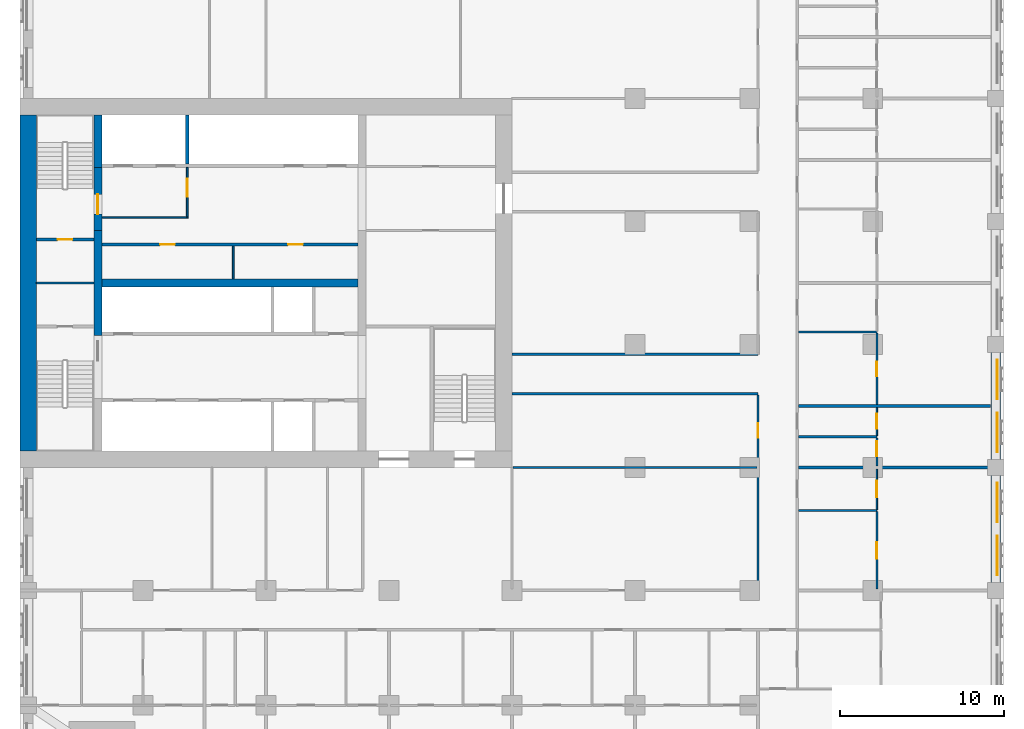
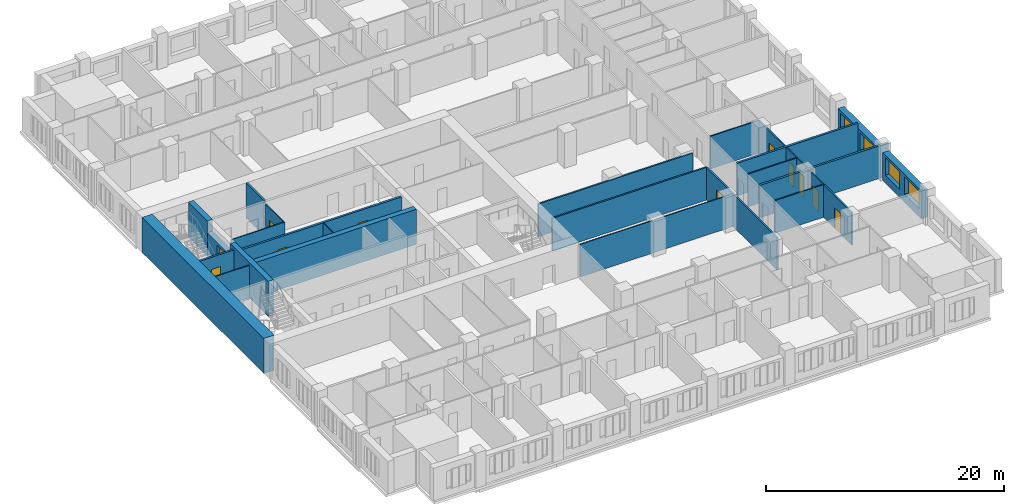
# One storey, part 7 of 14: 28 walls, 11 doors, 4 windows, 15 openings.
"""IFC4 building model written with IfcOpenShell, lengths in metres."""

from ifc_helpers import new_model, si_unit, direction, frame, frame_2d, origin, place, context, subcontext, project, spatial, rectangle, extrude, material, layer, layer_set, type_object, element, fill, save


model = new_model("IFC4")

# Units and contexts
model_context = context("Model", 3, precision=1e-05, world=origin(), true_north=direction((0.0, 1.0)))
body_context = subcontext(model_context, "Body", "Model", "MODEL_VIEW")
ifc_project = project(units=[si_unit("LENGTHUNIT", "METRE"), si_unit("AREAUNIT", "SQUARE_METRE"), si_unit("VOLUMEUNIT", "CUBIC_METRE"), si_unit("PLANEANGLEUNIT", "RADIAN"), si_unit("MASSUNIT", "GRAM", prefix="KILO")], contexts=[model_context])

# Site, building, storey
site_placement = place(None, origin())
site = spatial("IfcSite", under=ifc_project, at=site_placement, CompositionType="ELEMENT")
building_placement = place(site_placement, origin())
building = spatial("IfcBuilding", under=site, at=building_placement, Name="Tamorin Gate", CompositionType="ELEMENT")
storey_placement = place(building_placement, frame((0.0, 0.0, 59.199951171875)))
storey = spatial("IfcBuildingStorey", under=building, at=storey_placement, Name="L13", CompositionType="ELEMENT", Elevation=59.199951171875)

# Wall, openings, windows
ifc_material_1 = material(Name="Precast concrete C40/50", Category="concrete")
ifc_layer_1 = layer(ifc_material_1, 0.60009765625)
ifc_layer_set_1 = layer_set([ifc_layer_1], Name="Precast concrete C40/50")
wall_type_1 = type_object("IfcWallType", Name="Board-marked concrete facade panel 600", PredefinedType="SOLIDWALL", material=ifc_layer_set_1)
wall_1_placement = place(storey_placement, frame((89.5, 53.0, 0.0), z_axis=(0.0, 0.0, 1.0), x_axis=(0.0, 1.0, 0.0)))
wall_1 = element("IfcWall", 1, at=wall_1_placement, inside=storey, type_object=wall_type_1, Name="Facade panel", PredefinedType="SOLIDWALL", context=body_context, shape_type="SweptSolid", body=[
    extrude(rectangle(XDim=6.5, YDim=0.60009765625, at=frame_2d((3.25, 0.0))), origin(), (0.0, 0.0, 1.0), 2.85009765625),
])
opening_1_placement = place(wall_1_placement, frame((0.425048828125, 0.0, 0.800048828125)))
opening_1 = element("IfcOpeningElement", 2, at=opening_1_placement, cuts=wall_1, Name="Opening WN1", PredefinedType="OPENING", context=body_context, shape_type="SweptSolid", body=[
    extrude(rectangle(XDim=2.39990234375, YDim=1.800048828125, at=frame_2d((1.199951171875, 0.89990234375))), frame((0.0, 0.31005859375, 0.0), z_axis=(0.0, -1.0, 0.0), x_axis=(1.0, 0.0, 0.0)), (0.0, 0.0, 1.0), 0.6201171875),
])
opening_2_placement = place(wall_1_placement, frame((3.675048828125, 0.0, 0.800048828125)))
opening_2 = element("IfcOpeningElement", 3, at=opening_2_placement, cuts=wall_1, Name="Opening WN1", PredefinedType="OPENING", context=body_context, shape_type="SweptSolid", body=[
    extrude(rectangle(XDim=2.39990234375, YDim=1.800048828125, at=frame_2d((1.199951171875, 0.89990234375))), frame((0.0, 0.31005859375, 0.0), z_axis=(0.0, -1.0, 0.0), x_axis=(1.0, 0.0, 0.0)), (0.0, 0.0, 1.0), 0.6201171875),
])
ifc_material_2 = material(Name="Clear glass in aluminium frame", Category="aluminium")
window_type = type_object("IfcWindowType", Name="Deep-set window 2400x1800", PartitioningType="SINGLE_PANEL", PredefinedType="WINDOW", material=ifc_material_2)
window_1_placement = place(opening_1_placement, origin())
window_1 = element("IfcWindow", 4, at=window_1_placement, inside=storey, type_object=window_type, Name="Deep-set window", OverallHeight=1.800048828125, OverallWidth=2.39990234375, PartitioningType="SINGLE_PANEL", PredefinedType="WINDOW", context=body_context, shape_type="SweptSolid", body=[
    extrude(rectangle(XDim=2.39990234375, YDim=1.800048828125, at=frame_2d((1.199951171875, 0.89990234375))), frame((0.0, -0.070068359375, 0.0), z_axis=(0.0, -1.0, 0.0), x_axis=(1.0, 0.0, 0.0)), (0.0, 0.0, 1.0), 0.06005859375),
])
fill(opening_1, window_1)
window_2_placement = place(opening_2_placement, origin())
window_2 = element("IfcWindow", 5, at=window_2_placement, inside=storey, type_object=window_type, Name="Deep-set window", OverallHeight=1.800048828125, OverallWidth=2.39990234375, PartitioningType="SINGLE_PANEL", PredefinedType="WINDOW", context=body_context, shape_type="SweptSolid", body=[
    extrude(rectangle(XDim=2.39990234375, YDim=1.800048828125, at=frame_2d((1.199951171875, 0.89990234375))), frame((0.0, -0.070068359375, 0.0), z_axis=(0.0, -1.0, 0.0), x_axis=(1.0, 0.0, 0.0)), (0.0, 0.0, 1.0), 0.06005859375),
])
fill(opening_2, window_2)

wall_2_placement = place(storey_placement, frame((89.5, 60.5, 0.0), z_axis=(0.0, 0.0, 1.0), x_axis=(0.0, 1.0, 0.0)))
wall_2 = element("IfcWall", 6, at=wall_2_placement, inside=storey, type_object=wall_type_1, Name="Facade panel", PredefinedType="SOLIDWALL", context=body_context, shape_type="SweptSolid", body=[
    extrude(rectangle(XDim=6.5, YDim=0.60009765625, at=frame_2d((3.25, 0.0))), origin(), (0.0, 0.0, 1.0), 2.85009765625),
])
opening_3_placement = place(wall_2_placement, frame((0.425048828125, 0.0, 0.800048828125)))
opening_3 = element("IfcOpeningElement", 7, at=opening_3_placement, cuts=wall_2, Name="Opening WN1", PredefinedType="OPENING", context=body_context, shape_type="SweptSolid", body=[
    extrude(rectangle(XDim=2.39990234375, YDim=1.800048828125, at=frame_2d((1.199951171875, 0.89990234375))), frame((0.0, 0.31005859375, 0.0), z_axis=(0.0, -1.0, 0.0), x_axis=(1.0, 0.0, 0.0)), (0.0, 0.0, 1.0), 0.6201171875),
])
opening_4_placement = place(wall_2_placement, frame((3.675048828125, 0.0, 0.800048828125)))
opening_4 = element("IfcOpeningElement", 8, at=opening_4_placement, cuts=wall_2, Name="Opening WN1", PredefinedType="OPENING", context=body_context, shape_type="SweptSolid", body=[
    extrude(rectangle(XDim=2.39990234375, YDim=1.800048828125, at=frame_2d((1.199951171875, 0.89990234375))), frame((0.0, 0.31005859375, 0.0), z_axis=(0.0, -1.0, 0.0), x_axis=(1.0, 0.0, 0.0)), (0.0, 0.0, 1.0), 0.6201171875),
])
window_3_placement = place(opening_3_placement, origin())
window_3 = element("IfcWindow", 9, at=window_3_placement, inside=storey, type_object=window_type, Name="Deep-set window", OverallHeight=1.800048828125, OverallWidth=2.39990234375, PartitioningType="SINGLE_PANEL", PredefinedType="WINDOW", context=body_context, shape_type="SweptSolid", body=[
    extrude(rectangle(XDim=2.39990234375, YDim=1.800048828125, at=frame_2d((1.199951171875, 0.89990234375))), frame((0.0, -0.070068359375, 0.0), z_axis=(0.0, -1.0, 0.0), x_axis=(1.0, 0.0, 0.0)), (0.0, 0.0, 1.0), 0.06005859375),
])
fill(opening_3, window_3)
window_4_placement = place(opening_4_placement, origin())
window_4 = element("IfcWindow", 10, at=window_4_placement, inside=storey, type_object=window_type, Name="Deep-set window", OverallHeight=1.800048828125, OverallWidth=2.39990234375, PartitioningType="SINGLE_PANEL", PredefinedType="WINDOW", context=body_context, shape_type="SweptSolid", body=[
    extrude(rectangle(XDim=2.39990234375, YDim=1.800048828125, at=frame_2d((1.199951171875, 0.89990234375))), frame((0.0, -0.070068359375, 0.0), z_axis=(0.0, -1.0, 0.0), x_axis=(1.0, 0.0, 0.0)), (0.0, 0.0, 1.0), 0.06005859375),
])
fill(opening_4, window_4)

# Wall, opening, door
ifc_material_3 = material(Name="Gypsum board partition")
ifc_layer_2 = layer(ifc_material_3, 0.14990234375)
ifc_layer_set_2 = layer_set([ifc_layer_2], Name="Corridor wall 150")
wall_type_2 = type_object("IfcWallType", Name="Corridor wall 150", PredefinedType="PARTITIONING", material=ifc_layer_set_2)
wall_3_placement = place(storey_placement, frame((75.0, 52.574951171875, 0.0), z_axis=(0.0, 0.0, 1.0), x_axis=(0.0, 1.0, 0.0)))
wall_3 = element("IfcWall", 11, at=wall_3_placement, inside=storey, type_object=wall_type_2, Name="Corridor wall 150", PredefinedType="PARTITIONING", context=body_context, shape_type="SweptSolid", body=[
    extrude(rectangle(XDim=11.85009765625, YDim=0.14990234375, at=frame_2d((5.925048828125, 0.0))), origin(), (0.0, 0.0, 1.0), 3.35009765625),
])
opening_5_placement = place(wall_3_placement, frame((9.22509765625, 0.0, 0.0)))
opening_5 = element("IfcOpeningElement", 12, at=opening_5_placement, cuts=wall_3, Name="Opening DH4081", PredefinedType="OPENING", context=body_context, shape_type="SweptSolid", body=[
    extrude(rectangle(XDim=0.89990234375, YDim=2.10009765625, at=frame_2d((0.449951171875, 1.050048828125))), frame((0.0, 0.0849609375, 0.0), z_axis=(0.0, -1.0, 0.0), x_axis=(1.0, 0.0, 0.0)), (0.0, 0.0, 1.0), 0.169921875),
])
ifc_material_4 = material(Name="Timber door leaf", Category="wood")
door_type_1 = type_object("IfcDoorType", Name="Door 900 x 2100 FD30S", OperationType="NOTDEFINED", PredefinedType="DOOR", material=ifc_material_4)
door_1_placement = place(opening_5_placement, origin())
door_1 = element("IfcDoor", 13, at=door_1_placement, inside=storey, type_object=door_type_1, Name="Door DH4081", OperationType="SINGLE_SWING_LEFT", OverallHeight=2.10009765625, OverallWidth=0.89990234375, PredefinedType="DOOR", context=body_context, shape_type="SweptSolid", body=[
    extrude(rectangle(XDim=0.89990234375, YDim=2.10009765625, at=frame_2d((0.449951171875, 1.050048828125))), frame((0.0, 0.02490234375, 0.0), z_axis=(0.0, -1.0, 0.0), x_axis=(1.0, 0.0, 0.0)), (0.0, 0.0, 1.0), 0.050048828125),
])
fill(opening_5, door_1)

# Walls
ifc_layer_3 = layer(ifc_material_3, 0.199951171875)
ifc_layer_set_3 = layer_set([ifc_layer_3], Name="Demising wall 200")
wall_type_3 = type_object("IfcWallType", Name="Demising wall 200", PredefinedType="PARTITIONING", material=ifc_layer_set_3)
wall_4_placement = place(storey_placement, frame((77.47509765625, 60.0, 0.0), z_axis=(0.0, 0.0, 1.0), x_axis=(1.0, 0.0, 0.0)))
element("IfcWall", 14, at=wall_4_placement, inside=storey, type_object=wall_type_3, Name="Demising wall 200", PredefinedType="PARTITIONING", context=body_context, shape_type="SweptSolid", body=[
    extrude(rectangle(XDim=12.52490234375, YDim=0.199951171875, at=frame_2d((6.262451171875, 0.0))), origin(), (0.0, 0.0, 1.0), 3.35009765625),
])
wall_5_placement = place(storey_placement, frame((77.47509765625, 63.75, 0.0), z_axis=(0.0, 0.0, 1.0), x_axis=(1.0, 0.0, 0.0)))
element("IfcWall", 15, at=wall_5_placement, inside=storey, type_object=wall_type_3, Name="Demising wall 200", PredefinedType="PARTITIONING", context=body_context, shape_type="SweptSolid", body=[
    extrude(rectangle(XDim=11.71484375, YDim=0.199951171875, at=frame_2d((5.857421875, 0.0))), origin(), (0.0, 0.0, 1.0), 3.35009765625),
])
ifc_material_5 = material(Name="Concrete C32/40", Category="concrete")
ifc_layer_4 = layer(ifc_material_5, 0.199951171875)
ifc_layer_set_4 = layer_set([ifc_layer_4], Name="Lift shaft wall 200 EI 120")
wall_type_4 = type_object("IfcWallType", Name="Lift shaft wall 200 EI 120", PredefinedType="SOLIDWALL", material=ifc_layer_set_4)
wall_6_placement = place(storey_placement, frame((40.199951171875, 78.5, 0.0), z_axis=(0.0, 0.0, 1.0), x_axis=(0.0, 1.0, 0.0)))
element("IfcWall", 16, at=wall_6_placement, inside=storey, type_object=wall_type_4, Name="Lift shaft wall", PredefinedType="SOLIDWALL", context=body_context, shape_type="SweptSolid", body=[
    extrude(rectangle(XDim=3.0, YDim=0.199951171875, at=frame_2d((1.5, 0.0))), origin(), (0.0, 0.0, 1.0), 3.60009765625),
])
ifc_material_6 = material(Name="Fire-rated gypsum board partition")
ifc_layer_5 = layer(ifc_material_6, 0.10009765625)
ifc_layer_set_5 = layer_set([ifc_layer_5], Name="Lobby wall 100 EI 60")
wall_type_5 = type_object("IfcWallType", Name="Lobby wall 100 EI 60", PredefinedType="PARTITIONING", material=ifc_layer_set_5)
wall_7_placement = place(storey_placement, frame((35.0, 75.25, 0.0), z_axis=(0.0, 0.0, 1.0), x_axis=(1.0, 0.0, 0.0)))
element("IfcWall", 17, at=wall_7_placement, inside=storey, type_object=wall_type_5, Name="Firefighting lobby wall", PredefinedType="PARTITIONING", context=body_context, shape_type="SweptSolid", body=[
    extrude(rectangle(XDim=5.25, YDim=0.10009765625, at=frame_2d((2.625, 0.0))), origin(), (0.0, 0.0, 1.0), 3.35009765625),
])

# Wall, opening, door
wall_8_placement = place(storey_placement, frame((40.199951171875, 75.300048828125, 0.0), z_axis=(0.0, 0.0, 1.0), x_axis=(0.0, 1.0, 0.0)))
wall_8 = element("IfcWall", 18, at=wall_8_placement, inside=storey, type_object=wall_type_5, Name="Firefighting lobby wall", PredefinedType="PARTITIONING", context=body_context, shape_type="SweptSolid", body=[
    extrude(rectangle(XDim=3.0, YDim=0.10009765625, at=frame_2d((1.5, 0.0))), origin(), (0.0, 0.0, 1.0), 3.35009765625),
])
opening_6_placement = place(wall_8_placement, frame((1.199951171875, 0.0, 0.0)))
opening_6 = element("IfcOpeningElement", 19, at=opening_6_placement, cuts=wall_8, Name="Opening DF1", PredefinedType="OPENING", context=body_context, shape_type="SweptSolid", body=[
    extrude(rectangle(XDim=1.10009765625, YDim=2.10009765625, at=frame_2d((0.550048828125, 1.050048828125))), frame((0.0, 0.06005859375, 0.0), z_axis=(0.0, -1.0, 0.0), x_axis=(1.0, 0.0, 0.0)), (0.0, 0.0, 1.0), 0.1201171875),
])
ifc_material_7 = material(Name="Steel fire door", Category="steel")
door_type_2 = type_object("IfcDoorType", Name="Firefighting lobby door 1100 x 2100 EI 90", OperationType="SINGLE_SWING_LEFT", PredefinedType="DOOR", material=ifc_material_7)
door_2_placement = place(opening_6_placement, origin())
door_2 = element("IfcDoor", 20, at=door_2_placement, inside=storey, type_object=door_type_2, Name="Firefighting lobby door", OperationType="SINGLE_SWING_LEFT", OverallHeight=2.10009765625, OverallWidth=1.10009765625, PredefinedType="DOOR", context=body_context, shape_type="SweptSolid", body=[
    extrude(rectangle(XDim=1.10009765625, YDim=2.10009765625, at=frame_2d((0.550048828125, 1.050048828125))), frame((0.0, 0.02490234375, 0.0), z_axis=(0.0, -1.0, 0.0), x_axis=(1.0, 0.0, 0.0)), (0.0, 0.0, 1.0), 0.050048828125),
])
fill(opening_6, door_2)

# Walls
ifc_layer_6 = layer(ifc_material_3, 0.14990234375)
ifc_layer_set_6 = layer_set([ifc_layer_6], Name="Lobby wall 150")
wall_type_6 = type_object("IfcWallType", Name="Lobby wall 150", PredefinedType="PARTITIONING", material=ifc_layer_set_6)
for number, where, z_axis, x_axis, name in (
    (21, (60.0, 64.5, 0.0), (0.0, 0.0, 1.0), (1.0, 0.0, 0.0), "Lobby wall 150"),
    (22, (60.0, 66.89990234375, 0.0), (0.0, 0.0, 1.0), (1.0, 0.0, 0.0), "Lobby wall 150"),
):
    element("IfcWall", number, at=place(storey_placement, frame(where, z_axis=z_axis, x_axis=x_axis)), inside=storey, type_object=wall_type_6, Name=name, PredefinedType="PARTITIONING", context=body_context, shape_type="SweptSolid", body=[
        extrude(rectangle(XDim=15.0, YDim=0.14990234375, at=frame_2d((7.5, 0.0))), origin(), (0.0, 0.0, 1.0), 3.35009765625),
    ])
ifc_material_8 = material(Name="Concrete C80/95", Category="concrete")
ifc_layer_7 = layer(ifc_material_8, 0.5)
ifc_layer_set_7 = layer_set([ifc_layer_7], Name="RC core internal wall 500 C80/95")
wall_type_7 = type_object("IfcWallType", Name="RC core internal wall 500 C80/95", PredefinedType="SHEAR", material=ifc_layer_set_7)
wall_9_placement = place(storey_placement, frame((35.0, 71.25, 0.0), z_axis=(0.0, 0.0, 1.0), x_axis=(1.0, 0.0, 0.0)))
element("IfcWall", 23, at=wall_9_placement, inside=storey, type_object=wall_type_7, Name="Core spine wall L13", PredefinedType="SHEAR", context=body_context, shape_type="SweptSolid", body=[
    extrude(rectangle(XDim=15.60009765625, YDim=0.5, at=frame_2d((7.800048828125, 0.0))), origin(), (0.0, 0.0, 1.0), 3.60009765625),
])
wall_10_placement = place(storey_placement, frame((34.75, 68.050048828125, 0.0), z_axis=(0.0, 0.0, 1.0), x_axis=(0.0, 1.0, 0.0)))
element("IfcWall", 24, at=wall_10_placement, inside=storey, type_object=wall_type_7, Name="Core cross wall L13", PredefinedType="SHEAR", context=body_context, shape_type="SweptSolid", body=[
    extrude(rectangle(XDim=6.39990234375, YDim=0.5, at=frame_2d((3.199951171875, 0.0))), origin(), (0.0, 0.0, 1.0), 3.60009765625),
])
wall_11_placement = place(storey_placement, frame((34.75, 78.300048828125, 0.0), z_axis=(0.0, 0.0, 1.0), x_axis=(0.0, 1.0, 0.0)))
element("IfcWall", 25, at=wall_11_placement, inside=storey, type_object=wall_type_7, Name="Core cross wall L13", PredefinedType="SHEAR", context=body_context, shape_type="SweptSolid", body=[
    extrude(rectangle(XDim=3.199951171875, YDim=0.5, at=frame_2d((1.60009765625, 0.0))), origin(), (0.0, 0.0, 1.0), 3.60009765625),
])
ifc_layer_8 = layer(ifc_material_8, 1.0)
ifc_layer_set_8 = layer_set([ifc_layer_8], Name="RC core wall 1000 C80/95")
wall_type_8 = type_object("IfcWallType", Name="RC core wall 1000 C80/95", PredefinedType="SHEAR", material=ifc_layer_set_8)
wall_12_placement = place(storey_placement, frame((30.5, 61.0, 0.0), z_axis=(0.0, 0.0, 1.0), x_axis=(0.0, 1.0, 0.0)))
element("IfcWall", 26, at=wall_12_placement, inside=storey, type_object=wall_type_8, Name="Core wall L13", PredefinedType="SHEAR", context=body_context, shape_type="SweptSolid", body=[
    extrude(rectangle(XDim=20.5, YDim=1.0, at=frame_2d((10.25, 0.0))), origin(), (0.0, 0.0, 1.0), 3.60009765625),
])
ifc_layer_9 = layer(ifc_material_6, 0.10009765625)
ifc_layer_set_9 = layer_set([ifc_layer_9], Name="Riser partition 100 EI 120")
wall_type_9 = type_object("IfcWallType", Name="Riser partition 100 EI 120", PredefinedType="PARTITIONING", material=ifc_layer_set_9)
wall_13_placement = place(storey_placement, frame((31.0, 71.25, 0.0), z_axis=(0.0, 0.0, 1.0), x_axis=(1.0, 0.0, 0.0)))
element("IfcWall", 27, at=wall_13_placement, inside=storey, type_object=wall_type_9, Name="Riser partition", PredefinedType="PARTITIONING", context=body_context, shape_type="SweptSolid", body=[
    extrude(rectangle(XDim=3.5, YDim=0.10009765625, at=frame_2d((1.75, 0.0))), origin(), (0.0, 0.0, 1.0), 3.35009765625),
])
ifc_layer_10 = layer(ifc_material_3, 0.10009765625)
ifc_layer_set_10 = layer_set([ifc_layer_10], Name="Room partition 100")
wall_type_10 = type_object("IfcWallType", Name="Room partition 100", PredefinedType="PARTITIONING", material=ifc_layer_set_10)
wall_14_placement = place(storey_placement, frame((60.074951171875, 60.0, 0.0), z_axis=(0.0, 0.0, 1.0), x_axis=(1.0, 0.0, 0.0)))
element("IfcWall", 28, at=wall_14_placement, inside=storey, type_object=wall_type_10, Name="Room partition 100", PredefinedType="PARTITIONING", context=body_context, shape_type="SweptSolid", body=[
    extrude(rectangle(XDim=14.85009765625, YDim=0.10009765625, at=frame_2d((7.425048828125, 0.0))), origin(), (0.0, 0.0, 1.0), 3.35009765625),
])

# Wall, opening, door
wall_15_placement = place(storey_placement, frame((82.25, 57.4375, 0.0), z_axis=(0.0, 0.0, 1.0), x_axis=(0.0, 1.0, 0.0)))
wall_15 = element("IfcWall", 29, at=wall_15_placement, inside=storey, type_object=wall_type_10, Name="Room partition 100", PredefinedType="PARTITIONING", context=body_context, shape_type="SweptSolid", body=[
    extrude(rectangle(XDim=2.46240234375, YDim=0.10009765625, at=frame_2d((1.231201171875, 0.0))), origin(), (0.0, 0.0, 1.0), 3.35009765625),
])
opening_7_placement = place(wall_15_placement, frame((0.75, 0.0, 0.0)))
opening_7 = element("IfcOpeningElement", 30, at=opening_7_placement, cuts=wall_15, Name="Opening DH4041", PredefinedType="OPENING", context=body_context, shape_type="SweptSolid", body=[
    extrude(rectangle(XDim=1.0, YDim=2.10009765625, at=frame_2d((0.5, 1.050048828125))), frame((0.0, 0.06005859375, 0.0), z_axis=(0.0, -1.0, 0.0), x_axis=(1.0, 0.0, 0.0)), (0.0, 0.0, 1.0), 0.1201171875),
])
door_type_3 = type_object("IfcDoorType", Name="Door 1000 x 2100", OperationType="NOTDEFINED", PredefinedType="DOOR", material=ifc_material_4)
door_3_placement = place(opening_7_placement, origin())
door_3 = element("IfcDoor", 31, at=door_3_placement, inside=storey, type_object=door_type_3, Name="Door DH4041", OperationType="SINGLE_SWING_LEFT", OverallHeight=2.10009765625, OverallWidth=1.0, PredefinedType="DOOR", context=body_context, shape_type="SweptSolid", body=[
    extrude(rectangle(XDim=1.0, YDim=2.10009765625, at=frame_2d((0.5, 1.050048828125))), frame((0.0, 0.02490234375, 0.0), z_axis=(0.0, -1.0, 0.0), x_axis=(1.0, 0.0, 0.0)), (0.0, 0.0, 1.0), 0.050048828125),
])
fill(opening_7, door_3)

wall_16_placement = place(storey_placement, frame((82.25, 61.9375, 0.0), z_axis=(0.0, 0.0, 1.0), x_axis=(0.0, 1.0, 0.0)))
wall_16 = element("IfcWall", 32, at=wall_16_placement, inside=storey, type_object=wall_type_10, Name="Room partition 100", PredefinedType="PARTITIONING", context=body_context, shape_type="SweptSolid", body=[
    extrude(rectangle(XDim=1.71240234375, YDim=0.10009765625, at=frame_2d((0.856201171875, 0.0))), origin(), (0.0, 0.0, 1.0), 3.35009765625),
])
opening_8_placement = place(wall_16_placement, frame((0.425048828125, 0.0, 0.0)))
opening_8 = element("IfcOpeningElement", 33, at=opening_8_placement, cuts=wall_16, Name="Opening DH4044", PredefinedType="OPENING", context=body_context, shape_type="SweptSolid", body=[
    extrude(rectangle(XDim=0.89990234375, YDim=2.10009765625, at=frame_2d((0.449951171875, 1.050048828125))), frame((0.0, 0.06005859375, 0.0), z_axis=(0.0, -1.0, 0.0), x_axis=(1.0, 0.0, 0.0)), (0.0, 0.0, 1.0), 0.1201171875),
])
door_type_4 = type_object("IfcDoorType", Name="Door 900 x 2100", OperationType="NOTDEFINED", PredefinedType="DOOR", material=ifc_material_4)
door_4_placement = place(opening_8_placement, origin())
door_4 = element("IfcDoor", 34, at=door_4_placement, inside=storey, type_object=door_type_4, Name="Door DH4044", OperationType="SINGLE_SWING_LEFT", OverallHeight=2.10009765625, OverallWidth=0.89990234375, PredefinedType="DOOR", context=body_context, shape_type="SweptSolid", body=[
    extrude(rectangle(XDim=0.89990234375, YDim=2.10009765625, at=frame_2d((0.449951171875, 1.050048828125))), frame((0.0, 0.02490234375, 0.0), z_axis=(0.0, -1.0, 0.0), x_axis=(1.0, 0.0, 0.0)), (0.0, 0.0, 1.0), 0.050048828125),
])
fill(opening_8, door_4)

# Wall, openings, doors
ifc_layer_11 = layer(ifc_material_3, 0.199951171875)
ifc_layer_set_11 = layer_set([ifc_layer_11], Name="Service room face wall 200 EI 60")
wall_type_11 = type_object("IfcWallType", Name="Service room face wall 200 EI 60", PredefinedType="PARTITIONING", material=ifc_layer_set_11)
wall_17_placement = place(storey_placement, frame((35.0, 73.60009765625, 0.0), z_axis=(0.0, 0.0, 1.0), x_axis=(1.0, 0.0, 0.0)))
wall_17 = element("IfcWall", 35, at=wall_17_placement, inside=storey, type_object=wall_type_11, Name="Service room face wall", PredefinedType="PARTITIONING", context=body_context, shape_type="SweptSolid", body=[
    extrude(rectangle(XDim=15.60009765625, YDim=0.199951171875, at=frame_2d((7.800048828125, 0.0))), origin(), (0.0, 0.0, 1.0), 3.35009765625),
])
opening_9_placement = place(wall_17_placement, frame((3.550048828125, 0.0, 0.0)))
opening_9 = element("IfcOpeningElement", 36, at=opening_9_placement, cuts=wall_17, Name="Opening DK1", PredefinedType="OPENING", context=body_context, shape_type="SweptSolid", body=[
    extrude(rectangle(XDim=0.89990234375, YDim=2.10009765625, at=frame_2d((0.449951171875, 1.050048828125))), frame((0.0, 0.10986328125, 0.0), z_axis=(0.0, -1.0, 0.0), x_axis=(1.0, 0.0, 0.0)), (0.0, 0.0, 1.0), 0.219970703125),
])
opening_10_placement = place(wall_17_placement, frame((11.35009765625, 0.0, 0.0)))
opening_10 = element("IfcOpeningElement", 37, at=opening_10_placement, cuts=wall_17, Name="Opening DK1", PredefinedType="OPENING", context=body_context, shape_type="SweptSolid", body=[
    extrude(rectangle(XDim=0.89990234375, YDim=2.10009765625, at=frame_2d((0.449951171875, 1.050048828125))), frame((0.0, 0.10986328125, 0.0), z_axis=(0.0, -1.0, 0.0), x_axis=(1.0, 0.0, 0.0)), (0.0, 0.0, 1.0), 0.219970703125),
])
ifc_material_9 = material(Name="Timber fire door", Category="wood")
door_type_5 = type_object("IfcDoorType", Name="Service room door 900 x 2100 EI 60", OperationType="SINGLE_SWING_LEFT", PredefinedType="DOOR", material=ifc_material_9)
door_5_placement = place(opening_9_placement, origin())
door_5 = element("IfcDoor", 38, at=door_5_placement, inside=storey, type_object=door_type_5, Name="Door Linen store", OperationType="SINGLE_SWING_LEFT", OverallHeight=2.10009765625, OverallWidth=0.89990234375, PredefinedType="DOOR", context=body_context, shape_type="SweptSolid", body=[
    extrude(rectangle(XDim=0.89990234375, YDim=2.10009765625, at=frame_2d((0.449951171875, 1.050048828125))), frame((0.0, 0.02490234375, 0.0), z_axis=(0.0, -1.0, 0.0), x_axis=(1.0, 0.0, 0.0)), (0.0, 0.0, 1.0), 0.050048828125),
])
fill(opening_9, door_5)
door_6_placement = place(opening_10_placement, origin())
door_6 = element("IfcDoor", 39, at=door_6_placement, inside=storey, type_object=door_type_5, Name="Door Cleaner's store", OperationType="SINGLE_SWING_RIGHT", OverallHeight=2.10009765625, OverallWidth=0.89990234375, PredefinedType="DOOR", context=body_context, shape_type="SweptSolid", body=[
    extrude(rectangle(XDim=0.89990234375, YDim=2.10009765625, at=frame_2d((0.449951171875, 1.050048828125))), frame((0.0, 0.02490234375, 0.0), z_axis=(0.0, -1.0, 0.0), x_axis=(1.0, 0.0, 0.0)), (0.0, 0.0, 1.0), 0.050048828125),
])
fill(opening_10, door_6)

# Wall
ifc_layer_12 = layer(ifc_material_3, 0.10009765625)
ifc_layer_set_12 = layer_set([ifc_layer_12], Name="Service room partition 100 EI 60")
wall_type_12 = type_object("IfcWallType", Name="Service room partition 100 EI 60", PredefinedType="PARTITIONING", material=ifc_layer_set_12)
wall_18_placement = place(storey_placement, frame((43.0, 71.5, 0.0), z_axis=(0.0, 0.0, 1.0), x_axis=(0.0, 1.0, 0.0)))
element("IfcWall", 40, at=wall_18_placement, inside=storey, type_object=wall_type_12, Name="Service room partition", PredefinedType="PARTITIONING", context=body_context, shape_type="SweptSolid", body=[
    extrude(rectangle(XDim=2.0, YDim=0.10009765625, at=frame_2d((1.0, 0.0))), origin(), (0.0, 0.0, 1.0), 3.35009765625),
])

# Wall, opening, door
ifc_material_10 = material(Name="Concrete C40/50", Category="concrete")
ifc_layer_13 = layer(ifc_material_10, 0.199951171875)
ifc_layer_set_13 = layer_set([ifc_layer_13], Name="Stair enclosure wall 200 EI 120 C40/50")
wall_type_13 = type_object("IfcWallType", Name="Stair enclosure wall 200 EI 120 C40/50", PredefinedType="SOLIDWALL", material=ifc_layer_set_13)
wall_19_placement = place(storey_placement, frame((31.0, 73.89990234375, 0.0), z_axis=(0.0, 0.0, 1.0), x_axis=(1.0, 0.0, 0.0)))
wall_19 = element("IfcWall", 41, at=wall_19_placement, inside=storey, type_object=wall_type_13, Name="Stair enclosure wall", PredefinedType="SOLIDWALL", context=body_context, shape_type="SweptSolid", body=[
    extrude(rectangle(XDim=3.5, YDim=0.199951171875, at=frame_2d((1.75, 0.0))), origin(), (0.0, 0.0, 1.0), 3.35009765625),
])
opening_11_placement = place(wall_19_placement, frame((1.300048828125, 0.0, 0.0)))
opening_11 = element("IfcOpeningElement", 42, at=opening_11_placement, cuts=wall_19, Name="Opening DR1", PredefinedType="OPENING", context=body_context, shape_type="SweptSolid", body=[
    extrude(rectangle(XDim=0.89990234375, YDim=2.10009765625, at=frame_2d((0.449951171875, 1.050048828125))), frame((0.0, 0.10986328125, 0.0), z_axis=(0.0, -1.0, 0.0), x_axis=(1.0, 0.0, 0.0)), (0.0, 0.0, 1.0), 0.219970703125),
])
door_type_6 = type_object("IfcDoorType", Name="Riser access door 900 x 2100 EI 120", OperationType="SINGLE_SWING_LEFT", PredefinedType="DOOR", material=ifc_material_7)
door_7_placement = place(opening_11_placement, origin())
door_7 = element("IfcDoor", 43, at=door_7_placement, inside=storey, type_object=door_type_6, Name="Communications riser door", OperationType="SINGLE_SWING_RIGHT", OverallHeight=2.10009765625, OverallWidth=0.89990234375, PredefinedType="DOOR", context=body_context, shape_type="SweptSolid", body=[
    extrude(rectangle(XDim=0.89990234375, YDim=2.10009765625, at=frame_2d((0.449951171875, 1.050048828125))), frame((0.0, 0.02490234375, 0.0), z_axis=(0.0, -1.0, 0.0), x_axis=(1.0, 0.0, 0.0)), (0.0, 0.0, 1.0), 0.050048828125),
])
fill(opening_11, door_7)

ifc_layer_14 = layer(ifc_material_5, 0.5)
ifc_layer_set_14 = layer_set([ifc_layer_14], Name="Stair lobby infill wall 500 EI 120")
wall_type_14 = type_object("IfcWallType", Name="Stair lobby infill wall 500 EI 120", PredefinedType="SOLIDWALL", material=ifc_layer_set_14)
wall_20_placement = place(storey_placement, frame((34.75, 74.449951171875, 0.0), z_axis=(0.0, 0.0, 1.0), x_axis=(0.0, 1.0, 0.0)))
wall_20 = element("IfcWall", 44, at=wall_20_placement, inside=storey, type_object=wall_type_14, Name="Stair lobby infill wall", PredefinedType="SOLIDWALL", context=body_context, shape_type="SweptSolid", body=[
    extrude(rectangle(XDim=3.85009765625, YDim=0.5, at=frame_2d((1.925048828125, 0.0))), origin(), (0.0, 0.0, 1.0), 2.400146484375),
])
opening_12_placement = place(wall_20_placement, frame((1.0, 0.0, 0.0)))
opening_12 = element("IfcOpeningElement", 45, at=opening_12_placement, cuts=wall_20, Name="Opening DS1", PredefinedType="OPENING", context=body_context, shape_type="SweptSolid", body=[
    extrude(rectangle(XDim=1.199951171875, YDim=2.10009765625, at=frame_2d((0.60009765625, 1.050048828125))), frame((0.0, 0.260009765625, 0.0), z_axis=(0.0, -1.0, 0.0), x_axis=(1.0, 0.0, 0.0)), (0.0, 0.0, 1.0), 0.52001953125),
])
door_type_7 = type_object("IfcDoorType", Name="Stair door 1200 x 2100 EI 90", OperationType="SINGLE_SWING_LEFT", PredefinedType="DOOR", material=ifc_material_7)
door_8_placement = place(opening_12_placement, origin())
door_8 = element("IfcDoor", 46, at=door_8_placement, inside=storey, type_object=door_type_7, Name="ST2 door", OperationType="SINGLE_SWING_RIGHT", OverallHeight=2.10009765625, OverallWidth=1.199951171875, PredefinedType="DOOR", context=body_context, shape_type="SweptSolid", body=[
    extrude(rectangle(XDim=1.199951171875, YDim=2.10009765625, at=frame_2d((0.60009765625, 1.050048828125))), frame((0.0, 0.02490234375, 0.0), z_axis=(0.0, -1.0, 0.0), x_axis=(1.0, 0.0, 0.0)), (0.0, 0.0, 1.0), 0.050048828125),
])
fill(opening_12, door_8)

# Walls
ifc_layer_15 = layer(ifc_material_3, 0.125)
ifc_layer_set_15 = layer_set([ifc_layer_15], Name="Wet wall 125")
wall_type_15 = type_object("IfcWallType", Name="Wet wall 125", PredefinedType="PARTITIONING", material=ifc_layer_set_15)
for number, where, z_axis, x_axis, name in (
    (47, (77.47509765625, 57.375, 0.0), (0.0, 0.0, 1.0), (1.0, 0.0, 0.0), "Wet wall 125"),
    (48, (77.47509765625, 61.875, 0.0), (0.0, 0.0, 1.0), (1.0, 0.0, 0.0), "Wet wall 125"),
    (49, (77.47509765625, 68.25, 0.0), (0.0, 0.0, 1.0), (1.0, 0.0, 0.0), "Wet wall 125"),
):
    element("IfcWall", number, at=place(storey_placement, frame(where, z_axis=z_axis, x_axis=x_axis)), inside=storey, type_object=wall_type_15, Name=name, PredefinedType="PARTITIONING", context=body_context, shape_type="SweptSolid", body=[
        extrude(rectangle(XDim=4.77490234375, YDim=0.125, at=frame_2d((2.387451171875, 0.0))), origin(), (0.0, 0.0, 1.0), 3.35009765625),
    ])

# Wall, opening, door
wall_21_placement = place(storey_placement, frame((82.25, 52.60009765625, 0.0), z_axis=(0.0, 0.0, 1.0), x_axis=(0.0, 1.0, 0.0)))
wall_21 = element("IfcWall", 50, at=wall_21_placement, inside=storey, type_object=wall_type_15, Name="Wet wall 125", PredefinedType="PARTITIONING", context=body_context, shape_type="SweptSolid", body=[
    extrude(rectangle(XDim=4.71240234375, YDim=0.125, at=frame_2d((2.356201171875, 0.0))), origin(), (0.0, 0.0, 1.0), 3.35009765625),
])
opening_13_placement = place(wall_21_placement, frame((1.83740234375, 0.0, 0.0)))
opening_13 = element("IfcOpeningElement", 51, at=opening_13_placement, cuts=wall_21, Name="Opening DH4039", PredefinedType="OPENING", context=body_context, shape_type="SweptSolid", body=[
    extrude(rectangle(XDim=1.0, YDim=2.10009765625, at=frame_2d((0.5, 1.050048828125))), frame((0.0, 0.072509765625, 0.0), z_axis=(0.0, -1.0, 0.0), x_axis=(1.0, 0.0, 0.0)), (0.0, 0.0, 1.0), 0.14501953125),
])
door_9_placement = place(opening_13_placement, origin())
door_9 = element("IfcDoor", 52, at=door_9_placement, inside=storey, type_object=door_type_3, Name="Door DH4039", OperationType="SINGLE_SWING_LEFT", OverallHeight=2.10009765625, OverallWidth=1.0, PredefinedType="DOOR", context=body_context, shape_type="SweptSolid", body=[
    extrude(rectangle(XDim=1.0, YDim=2.10009765625, at=frame_2d((0.5, 1.050048828125))), frame((0.0, 0.02490234375, 0.0), z_axis=(0.0, -1.0, 0.0), x_axis=(1.0, 0.0, 0.0)), (0.0, 0.0, 1.0), 0.050048828125),
])
fill(opening_13, door_9)

wall_22_placement = place(storey_placement, frame((82.25, 60.10009765625, 0.0), z_axis=(0.0, 0.0, 1.0), x_axis=(0.0, 1.0, 0.0)))
wall_22 = element("IfcWall", 53, at=wall_22_placement, inside=storey, type_object=wall_type_15, Name="Wet wall 125", PredefinedType="PARTITIONING", context=body_context, shape_type="SweptSolid", body=[
    extrude(rectangle(XDim=1.71240234375, YDim=0.125, at=frame_2d((0.856201171875, 0.0))), origin(), (0.0, 0.0, 1.0), 3.35009765625),
])
opening_14_placement = place(wall_22_placement, frame((0.58740234375, 0.0, 0.0)))
opening_14 = element("IfcOpeningElement", 54, at=opening_14_placement, cuts=wall_22, Name="Opening DH4042", PredefinedType="OPENING", context=body_context, shape_type="SweptSolid", body=[
    extrude(rectangle(XDim=0.89990234375, YDim=2.10009765625, at=frame_2d((0.449951171875, 1.050048828125))), frame((0.0, 0.072509765625, 0.0), z_axis=(0.0, -1.0, 0.0), x_axis=(1.0, 0.0, 0.0)), (0.0, 0.0, 1.0), 0.14501953125),
])
door_10_placement = place(opening_14_placement, origin())
door_10 = element("IfcDoor", 55, at=door_10_placement, inside=storey, type_object=door_type_4, Name="Door DH4042", OperationType="SINGLE_SWING_RIGHT", OverallHeight=2.10009765625, OverallWidth=0.89990234375, PredefinedType="DOOR", context=body_context, shape_type="SweptSolid", body=[
    extrude(rectangle(XDim=0.89990234375, YDim=2.10009765625, at=frame_2d((0.449951171875, 1.050048828125))), frame((0.0, 0.02490234375, 0.0), z_axis=(0.0, -1.0, 0.0), x_axis=(1.0, 0.0, 0.0)), (0.0, 0.0, 1.0), 0.050048828125),
])
fill(opening_14, door_10)

wall_23_placement = place(storey_placement, frame((82.25, 63.85009765625, 0.0), z_axis=(0.0, 0.0, 1.0), x_axis=(0.0, 1.0, 0.0)))
wall_23 = element("IfcWall", 56, at=wall_23_placement, inside=storey, type_object=wall_type_15, Name="Wet wall 125", PredefinedType="PARTITIONING", context=body_context, shape_type="SweptSolid", body=[
    extrude(rectangle(XDim=4.33740234375, YDim=0.125, at=frame_2d((2.168701171875, 0.0))), origin(), (0.0, 0.0, 1.0), 3.35009765625),
])
opening_15_placement = place(wall_23_placement, frame((1.699951171875, 0.0, 0.0)))
opening_15 = element("IfcOpeningElement", 57, at=opening_15_placement, cuts=wall_23, Name="Opening DH4045", PredefinedType="OPENING", context=body_context, shape_type="SweptSolid", body=[
    extrude(rectangle(XDim=0.89990234375, YDim=2.10009765625, at=frame_2d((0.449951171875, 1.050048828125))), frame((0.0, 0.072509765625, 0.0), z_axis=(0.0, -1.0, 0.0), x_axis=(1.0, 0.0, 0.0)), (0.0, 0.0, 1.0), 0.14501953125),
])
door_11_placement = place(opening_15_placement, origin())
door_11 = element("IfcDoor", 58, at=door_11_placement, inside=storey, type_object=door_type_4, Name="Door DH4045", OperationType="SINGLE_SWING_LEFT", OverallHeight=2.10009765625, OverallWidth=0.89990234375, PredefinedType="DOOR", context=body_context, shape_type="SweptSolid", body=[
    extrude(rectangle(XDim=0.89990234375, YDim=2.10009765625, at=frame_2d((0.449951171875, 1.050048828125))), frame((0.0, 0.02490234375, 0.0), z_axis=(0.0, -1.0, 0.0), x_axis=(1.0, 0.0, 0.0)), (0.0, 0.0, 1.0), 0.050048828125),
])
fill(opening_15, door_11)

save(model, "model.ifc")
